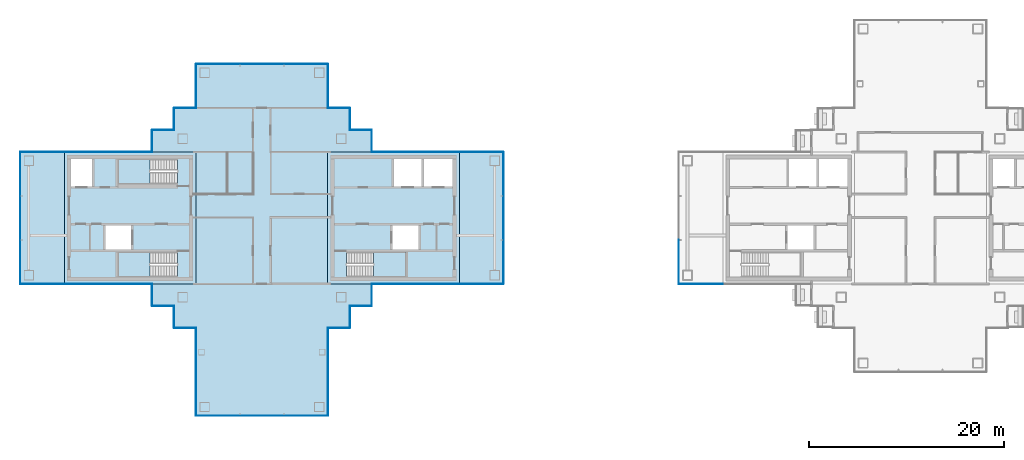
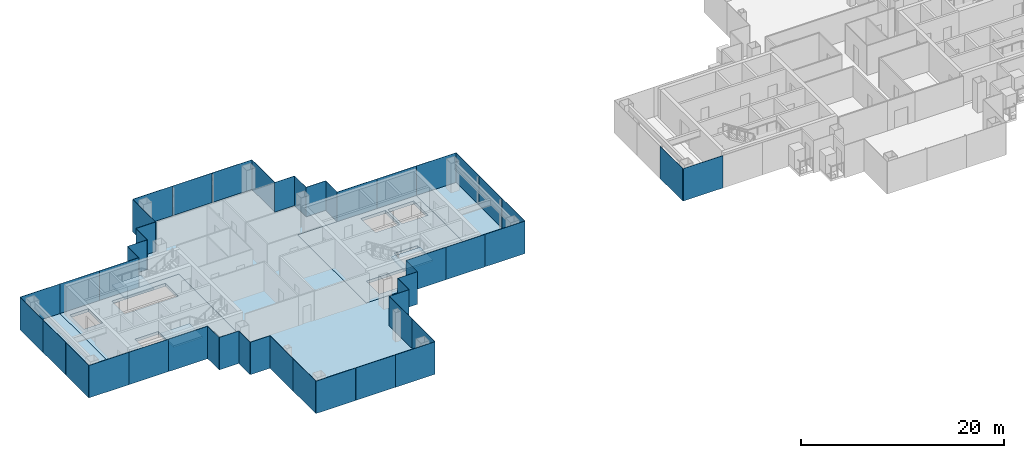
# One storey, part 7 of 16: 48 plates, 8 slabs, 25 elements without a shape of their own.
"""IFC4 building model written with IfcOpenShell, lengths in metres."""

from ifc_helpers import new_model, si_unit, direction, frame, origin, origin_2d, place, context, subcontext, project, spatial, polyline, rectangle, outline, extrude, material, layer, layer_set, type_object, element, aggregate, save


model = new_model("IFC4")

# Units and contexts
model_context = context("Model", 3, precision=1e-05, world=origin(), true_north=direction((0.0, 1.0)))
body_context = subcontext(model_context, "Body", "Model", "MODEL_VIEW")
ifc_project = project(units=[si_unit("LENGTHUNIT", "METRE"), si_unit("AREAUNIT", "SQUARE_METRE"), si_unit("VOLUMEUNIT", "CUBIC_METRE"), si_unit("PLANEANGLEUNIT", "RADIAN"), si_unit("MASSUNIT", "GRAM", prefix="KILO")], contexts=[model_context])

# Site, building, storey
site_placement = place(None, origin())
site = spatial("IfcSite", under=ifc_project, at=site_placement, CompositionType="ELEMENT")
building_placement = place(site_placement, origin())
building = spatial("IfcBuilding", under=site, at=building_placement, Name="Shamsa Quay Exchange Towers", CompositionType="ELEMENT")
storey_placement = place(building_placement, frame((0.0, 0.0, 210.0)))
storey = spatial("IfcBuildingStorey", under=building, at=storey_placement, Name="L50", CompositionType="ELEMENT", Elevation=210.0)

# Slabs
ifc_material_1 = material(Name="Concrete C50/60", Category="concrete")
ifc_layer_1 = layer(ifc_material_1, 0.35009765625)
ifc_layer_set_1 = layer_set([ifc_layer_1], Name="CORE FLOOR 350 C50/60")
slab_type_1 = type_object("IfcSlabType", Name="CORE FLOOR 350 C50/60", PredefinedType="FLOOR", material=ifc_layer_set_1)
slab_1_placement = place(storey_placement, frame((0.0, 0.0, -0.35009765625)))
element("IfcSlab", 1, at=slab_1_placement, inside=storey, type_object=slab_type_1, Name="Core floor T1A", PredefinedType="FLOOR", context=body_context, shape_type="SweptSolid", body=[
    extrude(outline(polyline([(-27.0, -6.75), (-13.5, -6.75), (-13.5, 6.75), (-27.0, 6.75), (-27.0, -6.75)]), holes=[polyline([(-25.099365234375, -6.050048828125), (-25.099365234375, -3.5), (-19.0, -3.5), (-19.0, -6.050048828125), (-25.099365234375, -6.050048828125)]), polyline([(-20.199951171875, 3.25), (-20.199951171875, 6.050048828125), (-17.39990234375, 6.050048828125), (-17.39990234375, 3.25), (-20.199951171875, 3.25)]), polyline([(-17.14990234375, 3.25), (-17.14990234375, 6.050048828125), (-14.199951171875, 6.050048828125), (-14.199951171875, 3.25), (-17.14990234375, 3.25)]), polyline([(-20.35009765625, -3.25), (-20.35009765625, -0.75), (-17.699951171875, -0.75), (-17.699951171875, -3.25), (-20.35009765625, -3.25)])]), origin(), (0.0, 0.0, 1.0), 0.35009765625),
])
slab_2_placement = place(storey_placement, frame((0.0, 0.0, -0.35009765625)))
element("IfcSlab", 2, at=slab_2_placement, inside=storey, type_object=slab_type_1, Name="Core floor T1B", PredefinedType="FLOOR", context=body_context, shape_type="SweptSolid", body=[
    extrude(outline(polyline([(-40.5, -6.75), (-40.5, 6.75), (-54.0, 6.75), (-54.0, -6.75), (-40.5, -6.75)]), holes=[polyline([(-42.400634765625, -3.5), (-42.400634765625, -6.050048828125), (-48.5, -6.050048828125), (-48.5, -3.5), (-42.400634765625, -3.5)]), polyline([(-42.400634765625, 6.050048828125), (-42.400634765625, 3.5), (-48.5, 3.5), (-48.5, 6.050048828125), (-42.400634765625, 6.050048828125)]), polyline([(-51.14990234375, 3.25), (-53.300048828125, 3.25), (-53.300048828125, 6.050048828125), (-51.14990234375, 6.050048828125), (-51.14990234375, 3.25)]), polyline([(-47.14990234375, -3.25), (-49.800048828125, -3.25), (-49.800048828125, -0.75), (-47.14990234375, -0.75), (-47.14990234375, -3.25)])]), origin(), (0.0, 0.0, 1.0), 0.35009765625),
])

# Stair, slab
ifc_material_2 = material(Name="Concrete C40/50", Category="concrete")
stair_type = type_object("IfcStairType", Name="EXIT STAIR 22 RISERS 177 MM", PredefinedType="HALF_TURN_STAIR", material=ifc_material_2)
stair_1_placement = place(storey_placement, origin())
stair_1 = element("IfcStair", 3, at=stair_1_placement, inside=storey, type_object=stair_type, Name="L50 Exit stair ST1", PredefinedType="HALF_TURN_STAIR")
ifc_layer_2 = layer(ifc_material_2, 0.199951171875)
ifc_layer_set_2 = layer_set([ifc_layer_2], Name="CORE STAIR LANDING")
slab_type_2 = type_object("IfcSlabType", Name="CORE STAIR LANDING", PredefinedType="LANDING", material=ifc_layer_set_2)
slab_3_placement = place(storey_placement, frame((0.0, 0.0, 1.75)))
slab_3 = element("IfcSlab", 4, at=slab_3_placement, type_object=slab_type_2, Name="ST1 landing 1", PredefinedType="LANDING", context=body_context, shape_type="SweptSolid", body=[
    extrude(outline(polyline([(-22.300048828125, -6.050048828125), (-19.0, -6.050048828125), (-19.0, -3.5), (-22.300048828125, -3.5), (-22.300048828125, -6.050048828125)])), origin(), (0.0, 0.0, 1.0), 0.199951171875),
])
aggregate(stair_1, [slab_3])

stair_2_placement = place(storey_placement, origin())
stair_2 = element("IfcStair", 5, at=stair_2_placement, inside=storey, type_object=stair_type, Name="L50 Exit stair ST2", PredefinedType="HALF_TURN_STAIR")
slab_4_placement = place(storey_placement, frame((0.0, 0.0, 1.75)))
slab_4 = element("IfcSlab", 6, at=slab_4_placement, type_object=slab_type_2, Name="ST2 landing 1", PredefinedType="LANDING", context=body_context, shape_type="SweptSolid", body=[
    extrude(outline(polyline([(-45.199951171875, -3.5), (-48.5, -3.5), (-48.5, -6.050048828125), (-45.199951171875, -6.050048828125), (-45.199951171875, -3.5)])), origin(), (0.0, 0.0, 1.0), 0.199951171875),
])
aggregate(stair_2, [slab_4])

stair_3_placement = place(storey_placement, origin())
stair_3 = element("IfcStair", 7, at=stair_3_placement, inside=storey, type_object=stair_type, Name="L50 Exit stair ST3", PredefinedType="HALF_TURN_STAIR")
slab_5_placement = place(storey_placement, frame((0.0, 0.0, 1.75)))
slab_5 = element("IfcSlab", 8, at=slab_5_placement, type_object=slab_type_2, Name="ST3 landing 1", PredefinedType="LANDING", context=body_context, shape_type="SweptSolid", body=[
    extrude(outline(polyline([(-45.199951171875, 6.050048828125), (-48.5, 6.050048828125), (-48.5, 3.5), (-45.199951171875, 3.5), (-45.199951171875, 6.050048828125)])), origin(), (0.0, 0.0, 1.0), 0.199951171875),
])
aggregate(stair_3, [slab_5])

# Curtain wall, plates
ifc_material_3 = material(Name="Aluminium EN AW-6063 T6, black anodised", Category="aluminium")
ifc_layer_3 = layer(ifc_material_3, 0.280029296875)
ifc_layer_set_3 = layer_set([ifc_layer_3], Name="CW-1 UNITISED VISION GLASS")
curtain_wall_type_1 = type_object("IfcCurtainWallType", Name="CW-1 UNITISED VISION GLASS", PredefinedType="NOTDEFINED", material=ifc_layer_set_3)
curtain_wall_1_placement = place(storey_placement, origin())
curtain_wall_1 = element("IfcCurtainWall", 9, at=curtain_wall_1_placement, inside=storey, type_object=curtain_wall_type_1, Name="CW1 T1-FLK-V-W L50", PredefinedType="NOTDEFINED")
ifc_material_4 = material(Name="Glass, laminated, dark tinted", Category="glass")
ifc_layer_4 = layer(ifc_material_4, 0.0400390625)
ifc_layer_set_4 = layer_set([ifc_layer_4], Name="CW-1 VISION GLASS 40")
plate_type_1 = type_object("IfcPlateType", Name="CW-1 VISION GLASS 40", PredefinedType="CURTAIN_PANEL", material=ifc_layer_set_4)
plate_1_placement = place(storey_placement, frame((-40.52001953125, -13.52587890625, -0.349853515625), z_axis=(0.0, 0.0, 1.0), x_axis=(0.0, -1.0, 0.0)))
plate_1 = element("IfcPlate", 10, at=plate_1_placement, type_object=plate_type_1, Name="CW1 glass panel", PredefinedType="CURTAIN_PANEL", context=body_context, shape_type="SweptSolid", body=[
    extrude(rectangle(XDim=4.47607421875, YDim=0.0400390625, at=origin_2d()), origin(), (0.0, 0.0, 1.0), 3.89990234375),
])
plate_2_placement = place(storey_placement, frame((-40.52001953125, -18.011962890625, -0.349853515625), z_axis=(0.0, 0.0, 1.0), x_axis=(0.0, -1.0, 0.0)))
plate_2 = element("IfcPlate", 11, at=plate_2_placement, type_object=plate_type_1, Name="CW1 glass panel", PredefinedType="CURTAIN_PANEL", context=body_context, shape_type="SweptSolid", body=[
    extrude(rectangle(XDim=4.47607421875, YDim=0.0400390625, at=origin_2d()), origin(), (0.0, 0.0, 1.0), 3.89990234375),
])
aggregate(curtain_wall_1, [plate_1, plate_2])

curtain_wall_2_placement = place(storey_placement, origin())
curtain_wall_2 = element("IfcCurtainWall", 12, at=curtain_wall_2_placement, inside=storey, type_object=curtain_wall_type_1, Name="CW1 T1-END-V- L50", PredefinedType="NOTDEFINED")
plate_3_placement = place(storey_placement, frame((-38.25244140625, -20.27001953125, -0.349853515625)))
plate_3 = element("IfcPlate", 13, at=plate_3_placement, type_object=plate_type_1, Name="CW1 glass panel", PredefinedType="CURTAIN_PANEL", context=body_context, shape_type="SweptSolid", body=[
    extrude(rectangle(XDim=4.4951171875, YDim=0.0400390625, at=origin_2d()), origin(), (0.0, 0.0, 1.0), 3.89990234375),
])
plate_4_placement = place(storey_placement, frame((-33.75, -20.27001953125, -0.349853515625)))
plate_4 = element("IfcPlate", 14, at=plate_4_placement, type_object=plate_type_1, Name="CW1 glass panel", PredefinedType="CURTAIN_PANEL", context=body_context, shape_type="SweptSolid", body=[
    extrude(rectangle(XDim=4.489990234375, YDim=0.0400390625, at=origin_2d()), origin(), (0.0, 0.0, 1.0), 3.89990234375),
])
plate_5_placement = place(storey_placement, frame((-29.24755859375, -20.27001953125, -0.349853515625)))
plate_5 = element("IfcPlate", 15, at=plate_5_placement, type_object=plate_type_1, Name="CW1 glass panel", PredefinedType="CURTAIN_PANEL", context=body_context, shape_type="SweptSolid", body=[
    extrude(rectangle(XDim=4.4951171875, YDim=0.0400390625, at=origin_2d()), origin(), (0.0, 0.0, 1.0), 3.89990234375),
])
aggregate(curtain_wall_2, [plate_3, plate_4, plate_5])

curtain_wall_3_placement = place(storey_placement, origin())
curtain_wall_3 = element("IfcCurtainWall", 16, at=curtain_wall_3_placement, inside=storey, type_object=curtain_wall_type_1, Name="CW1 T1-FLK-V-E L50", PredefinedType="NOTDEFINED")
plate_6_placement = place(storey_placement, frame((-26.97998046875, -18.00244140625, -0.349853515625), z_axis=(0.0, 0.0, 1.0), x_axis=(0.0, 1.0, 0.0)))
plate_6 = element("IfcPlate", 17, at=plate_6_placement, type_object=plate_type_1, Name="CW1 glass panel", PredefinedType="CURTAIN_PANEL", context=body_context, shape_type="SweptSolid", body=[
    extrude(rectangle(XDim=4.4951171875, YDim=0.0400390625, at=origin_2d()), origin(), (0.0, 0.0, 1.0), 3.89990234375),
])
plate_7_placement = place(storey_placement, frame((-26.97998046875, -13.49755859375, -0.349853515625), z_axis=(0.0, 0.0, 1.0), x_axis=(0.0, 1.0, 0.0)))
plate_7 = element("IfcPlate", 18, at=plate_7_placement, type_object=plate_type_1, Name="CW1 glass panel", PredefinedType="CURTAIN_PANEL", context=body_context, shape_type="SweptSolid", body=[
    extrude(rectangle(XDim=4.4951171875, YDim=0.0400390625, at=origin_2d()), origin(), (0.0, 0.0, 1.0), 3.89990234375),
])
aggregate(curtain_wall_3, [plate_6, plate_7])

# Curtain wall, plate
curtain_wall_4_placement = place(storey_placement, origin())
curtain_wall_4 = element("IfcCurtainWall", 19, at=curtain_wall_4_placement, inside=storey, type_object=curtain_wall_type_1, Name="CW1 T1-FLK-U+S L50", PredefinedType="NOTDEFINED")
plate_8_placement = place(storey_placement, frame((-11.25, -6.77001953125, -0.349853515625)))
plate_8 = element("IfcPlate", 20, at=plate_8_placement, type_object=plate_type_1, Name="CW1 glass panel", PredefinedType="CURTAIN_PANEL", context=body_context, shape_type="SweptSolid", body=[
    extrude(rectangle(XDim=4.5, YDim=0.0400390625, at=origin_2d()), origin(), (0.0, 0.0, 1.0), 3.89990234375),
])
aggregate(curtain_wall_4, [plate_8])

# Curtain wall, plates
curtain_wall_5_placement = place(storey_placement, origin())
curtain_wall_5 = element("IfcCurtainWall", 21, at=curtain_wall_5_placement, inside=storey, type_object=curtain_wall_type_1, Name="CW1 T1-END-U+ L50", PredefinedType="NOTDEFINED")
plate_9_placement = place(storey_placement, frame((-8.97998046875, -4.50244140625, -0.349853515625), z_axis=(0.0, 0.0, 1.0), x_axis=(0.0, 1.0, 0.0)))
plate_9 = element("IfcPlate", 22, at=plate_9_placement, type_object=plate_type_1, Name="CW1 glass panel", PredefinedType="CURTAIN_PANEL", context=body_context, shape_type="SweptSolid", body=[
    extrude(rectangle(XDim=4.4951171875, YDim=0.0400390625, at=origin_2d()), origin(), (0.0, 0.0, 1.0), 3.89990234375),
])
plate_10_placement = place(storey_placement, frame((-8.97998046875, 0.0, -0.349853515625), z_axis=(0.0, 0.0, 1.0), x_axis=(0.0, 1.0, 0.0)))
plate_10 = element("IfcPlate", 23, at=plate_10_placement, type_object=plate_type_1, Name="CW1 glass panel", PredefinedType="CURTAIN_PANEL", context=body_context, shape_type="SweptSolid", body=[
    extrude(rectangle(XDim=4.489990234375, YDim=0.0400390625, at=origin_2d()), origin(), (0.0, 0.0, 1.0), 3.89990234375),
])
plate_11_placement = place(storey_placement, frame((-8.97998046875, 4.50244140625, -0.349853515625), z_axis=(0.0, 0.0, 1.0), x_axis=(0.0, 1.0, 0.0)))
plate_11 = element("IfcPlate", 24, at=plate_11_placement, type_object=plate_type_1, Name="CW1 glass panel", PredefinedType="CURTAIN_PANEL", context=body_context, shape_type="SweptSolid", body=[
    extrude(rectangle(XDim=4.4951171875, YDim=0.0400390625, at=origin_2d()), origin(), (0.0, 0.0, 1.0), 3.89990234375),
])
aggregate(curtain_wall_5, [plate_9, plate_10, plate_11])

# Curtain wall, plate
curtain_wall_6_placement = place(storey_placement, origin())
curtain_wall_6 = element("IfcCurtainWall", 25, at=curtain_wall_6_placement, inside=storey, type_object=curtain_wall_type_1, Name="CW1 T1-FLK-U+N L50", PredefinedType="NOTDEFINED")
plate_12_placement = place(storey_placement, frame((-11.25, 6.77001953125, -0.349853515625), z_axis=(0.0, 0.0, 1.0), x_axis=(-1.0, 0.0, 0.0)))
plate_12 = element("IfcPlate", 26, at=plate_12_placement, type_object=plate_type_1, Name="CW1 glass panel", PredefinedType="CURTAIN_PANEL", context=body_context, shape_type="SweptSolid", body=[
    extrude(rectangle(XDim=4.5, YDim=0.0400390625, at=origin_2d()), origin(), (0.0, 0.0, 1.0), 3.89990234375),
])
aggregate(curtain_wall_6, [plate_12])

curtain_wall_7_placement = place(storey_placement, origin())
curtain_wall_7 = element("IfcCurtainWall", 27, at=curtain_wall_7_placement, inside=storey, type_object=curtain_wall_type_1, Name="CW1 T1-FLK-V+E L50", PredefinedType="NOTDEFINED")
plate_13_placement = place(storey_placement, frame((-26.97998046875, 13.51904296875, -0.349853515625), z_axis=(0.0, 0.0, 1.0), x_axis=(0.0, 1.0, 0.0)))
plate_13 = element("IfcPlate", 28, at=plate_13_placement, type_object=plate_type_1, Name="CW1 glass panel", PredefinedType="CURTAIN_PANEL", context=body_context, shape_type="SweptSolid", body=[
    extrude(rectangle(XDim=4.4619140625, YDim=0.0400390625, at=origin_2d()), origin(), (0.0, 0.0, 1.0), 3.89990234375),
])
aggregate(curtain_wall_7, [plate_13])

# Curtain wall, plates
curtain_wall_8_placement = place(storey_placement, origin())
curtain_wall_8 = element("IfcCurtainWall", 29, at=curtain_wall_8_placement, inside=storey, type_object=curtain_wall_type_1, Name="CW1 T1-END-V+ L50", PredefinedType="NOTDEFINED")
plate_14_placement = place(storey_placement, frame((-29.24755859375, 15.77001953125, -0.349853515625), z_axis=(0.0, 0.0, 1.0), x_axis=(-1.0, 0.0, 0.0)))
plate_14 = element("IfcPlate", 30, at=plate_14_placement, type_object=plate_type_1, Name="CW1 glass panel", PredefinedType="CURTAIN_PANEL", context=body_context, shape_type="SweptSolid", body=[
    extrude(rectangle(XDim=4.4951171875, YDim=0.0400390625, at=origin_2d()), origin(), (0.0, 0.0, 1.0), 3.89990234375),
])
plate_15_placement = place(storey_placement, frame((-33.75, 15.77001953125, -0.349853515625), z_axis=(0.0, 0.0, 1.0), x_axis=(-1.0, 0.0, 0.0)))
plate_15 = element("IfcPlate", 31, at=plate_15_placement, type_object=plate_type_1, Name="CW1 glass panel", PredefinedType="CURTAIN_PANEL", context=body_context, shape_type="SweptSolid", body=[
    extrude(rectangle(XDim=4.489990234375, YDim=0.0400390625, at=origin_2d()), origin(), (0.0, 0.0, 1.0), 3.89990234375),
])
plate_16_placement = place(storey_placement, frame((-38.25244140625, 15.77001953125, -0.349853515625), z_axis=(0.0, 0.0, 1.0), x_axis=(-1.0, 0.0, 0.0)))
plate_16 = element("IfcPlate", 32, at=plate_16_placement, type_object=plate_type_1, Name="CW1 glass panel", PredefinedType="CURTAIN_PANEL", context=body_context, shape_type="SweptSolid", body=[
    extrude(rectangle(XDim=4.4951171875, YDim=0.0400390625, at=origin_2d()), origin(), (0.0, 0.0, 1.0), 3.89990234375),
])
aggregate(curtain_wall_8, [plate_14, plate_15, plate_16])

# Curtain wall, plate
curtain_wall_9_placement = place(storey_placement, origin())
curtain_wall_9 = element("IfcCurtainWall", 33, at=curtain_wall_9_placement, inside=storey, type_object=curtain_wall_type_1, Name="CW1 T1-FLK-V+W L50", PredefinedType="NOTDEFINED")
plate_17_placement = place(storey_placement, frame((-40.52001953125, 13.5, -0.349853515625), z_axis=(0.0, 0.0, 1.0), x_axis=(0.0, -1.0, 0.0)))
plate_17 = element("IfcPlate", 34, at=plate_17_placement, type_object=plate_type_1, Name="CW1 glass panel", PredefinedType="CURTAIN_PANEL", context=body_context, shape_type="SweptSolid", body=[
    extrude(rectangle(XDim=4.5, YDim=0.0400390625, at=origin_2d()), origin(), (0.0, 0.0, 1.0), 3.89990234375),
])
aggregate(curtain_wall_9, [plate_17])

curtain_wall_10_placement = place(storey_placement, origin())
curtain_wall_10 = element("IfcCurtainWall", 35, at=curtain_wall_10_placement, inside=storey, type_object=curtain_wall_type_1, Name="CW1 T1-FLK-U-N L50", PredefinedType="NOTDEFINED")
plate_18_placement = place(storey_placement, frame((-56.25, 6.77001953125, -0.349853515625), z_axis=(0.0, 0.0, 1.0), x_axis=(-1.0, 0.0, 0.0)))
plate_18 = element("IfcPlate", 36, at=plate_18_placement, type_object=plate_type_1, Name="CW1 glass panel", PredefinedType="CURTAIN_PANEL", context=body_context, shape_type="SweptSolid", body=[
    extrude(rectangle(XDim=4.5, YDim=0.0400390625, at=origin_2d()), origin(), (0.0, 0.0, 1.0), 3.89990234375),
])
aggregate(curtain_wall_10, [plate_18])

# Curtain wall, plates
curtain_wall_11_placement = place(storey_placement, origin())
curtain_wall_11 = element("IfcCurtainWall", 37, at=curtain_wall_11_placement, inside=storey, type_object=curtain_wall_type_1, Name="CW1 T1-END-U- L50", PredefinedType="NOTDEFINED")
plate_19_placement = place(storey_placement, frame((-58.52001953125, 4.50244140625, -0.349853515625), z_axis=(0.0, 0.0, 1.0), x_axis=(0.0, -1.0, 0.0)))
plate_19 = element("IfcPlate", 38, at=plate_19_placement, type_object=plate_type_1, Name="CW1 glass panel", PredefinedType="CURTAIN_PANEL", context=body_context, shape_type="SweptSolid", body=[
    extrude(rectangle(XDim=4.4951171875, YDim=0.0400390625, at=origin_2d()), origin(), (0.0, 0.0, 1.0), 3.89990234375),
])
plate_20_placement = place(storey_placement, frame((-58.52001953125, 0.0, -0.349853515625), z_axis=(0.0, 0.0, 1.0), x_axis=(0.0, -1.0, 0.0)))
plate_20 = element("IfcPlate", 39, at=plate_20_placement, type_object=plate_type_1, Name="CW1 glass panel", PredefinedType="CURTAIN_PANEL", context=body_context, shape_type="SweptSolid", body=[
    extrude(rectangle(XDim=4.489990234375, YDim=0.0400390625, at=origin_2d()), origin(), (0.0, 0.0, 1.0), 3.89990234375),
])
plate_21_placement = place(storey_placement, frame((-58.52001953125, -4.50244140625, -0.349853515625), z_axis=(0.0, 0.0, 1.0), x_axis=(0.0, -1.0, 0.0)))
plate_21 = element("IfcPlate", 40, at=plate_21_placement, type_object=plate_type_1, Name="CW1 glass panel", PredefinedType="CURTAIN_PANEL", context=body_context, shape_type="SweptSolid", body=[
    extrude(rectangle(XDim=4.4951171875, YDim=0.0400390625, at=origin_2d()), origin(), (0.0, 0.0, 1.0), 3.89990234375),
])
aggregate(curtain_wall_11, [plate_19, plate_20, plate_21])

# Curtain wall, plate
curtain_wall_12_placement = place(storey_placement, origin())
curtain_wall_12 = element("IfcCurtainWall", 41, at=curtain_wall_12_placement, inside=storey, type_object=curtain_wall_type_1, Name="CW1 T1-FLK-U-S L50", PredefinedType="NOTDEFINED")
plate_22_placement = place(storey_placement, frame((-56.25, -6.77001953125, -0.349853515625)))
plate_22 = element("IfcPlate", 42, at=plate_22_placement, type_object=plate_type_1, Name="CW1 glass panel", PredefinedType="CURTAIN_PANEL", context=body_context, shape_type="SweptSolid", body=[
    extrude(rectangle(XDim=4.5, YDim=0.0400390625, at=origin_2d()), origin(), (0.0, 0.0, 1.0), 3.89990234375),
])
aggregate(curtain_wall_12, [plate_22])

curtain_wall_13_placement = place(storey_placement, origin())
curtain_wall_13 = element("IfcCurtainWall", 43, at=curtain_wall_13_placement, inside=storey, type_object=curtain_wall_type_1, Name="CW1 T2-END-V+ L50", PredefinedType="NOTDEFINED")
plate_23_placement = place(storey_placement, frame((8.97998046875, -4.50244140625, -0.349853515625), z_axis=(0.0, 0.0, 1.0), x_axis=(0.0, -1.0, 0.0)))
plate_23 = element("IfcPlate", 44, at=plate_23_placement, type_object=plate_type_1, Name="CW1 glass panel", PredefinedType="CURTAIN_PANEL", context=body_context, shape_type="SweptSolid", body=[
    extrude(rectangle(XDim=4.4951171875, YDim=0.0400390625, at=origin_2d()), origin(), (0.0, 0.0, 1.0), 3.89990234375),
])
aggregate(curtain_wall_13, [plate_23])

curtain_wall_14_placement = place(storey_placement, origin())
curtain_wall_14 = element("IfcCurtainWall", 45, at=curtain_wall_14_placement, inside=storey, type_object=curtain_wall_type_1, Name="CW1 T2-FLK-V+W L50", PredefinedType="NOTDEFINED")
plate_24_placement = place(storey_placement, frame((11.25, -6.77001953125, -0.349853515625)))
plate_24 = element("IfcPlate", 46, at=plate_24_placement, type_object=plate_type_1, Name="CW1 glass panel", PredefinedType="CURTAIN_PANEL", context=body_context, shape_type="SweptSolid", body=[
    extrude(rectangle(XDim=4.5, YDim=0.0400390625, at=origin_2d()), origin(), (0.0, 0.0, 1.0), 3.89990234375),
])
aggregate(curtain_wall_14, [plate_24])

# Curtain wall, plates
ifc_layer_5 = layer(ifc_material_3, 0.303955078125)
ifc_layer_set_5 = layer_set([ifc_layer_5], Name="CW-2 UNITISED OPAQUE SPANDREL GLASS")
curtain_wall_type_2 = type_object("IfcCurtainWallType", Name="CW-2 UNITISED OPAQUE SPANDREL GLASS", PredefinedType="NOTDEFINED", material=ifc_layer_set_5)
curtain_wall_15_placement = place(storey_placement, origin())
curtain_wall_15 = element("IfcCurtainWall", 47, at=curtain_wall_15_placement, inside=storey, type_object=curtain_wall_type_2, Name="CW2 T1-FLK-U+S L50", PredefinedType="NOTDEFINED")
ifc_material_5 = material(Name="Glass, laminated, black enamelled opaque", Category="glass")
ifc_layer_6 = layer(ifc_material_5, 0.0439453125)
ifc_layer_set_6 = layer_set([ifc_layer_6], Name="CW-2 SPANDREL GLASS 44")
plate_type_2 = type_object("IfcPlateType", Name="CW-2 SPANDREL GLASS 44", PredefinedType="CURTAIN_PANEL", material=ifc_layer_set_6)
plate_25_placement = place(storey_placement, frame((-20.22412109375, -6.77197265625, -0.349853515625)))
plate_25 = element("IfcPlate", 48, at=plate_25_placement, type_object=plate_type_2, Name="CW2 glass panel", PredefinedType="CURTAIN_PANEL", context=body_context, shape_type="SweptSolid", body=[
    extrude(rectangle(XDim=4.47607421875, YDim=0.0439453125, at=origin_2d()), origin(), (0.0, 0.0, 1.0), 3.89990234375),
])
plate_26_placement = place(storey_placement, frame((-15.738037109375, -6.77197265625, -0.349853515625)))
plate_26 = element("IfcPlate", 49, at=plate_26_placement, type_object=plate_type_2, Name="CW2 glass panel", PredefinedType="CURTAIN_PANEL", context=body_context, shape_type="SweptSolid", body=[
    extrude(rectangle(XDim=4.47607421875, YDim=0.0439453125, at=origin_2d()), origin(), (0.0, 0.0, 1.0), 3.89990234375),
])
aggregate(curtain_wall_15, [plate_25, plate_26])

curtain_wall_16_placement = place(storey_placement, origin())
curtain_wall_16 = element("IfcCurtainWall", 50, at=curtain_wall_16_placement, inside=storey, type_object=curtain_wall_type_2, Name="CW2 T1-FLK-U+N L50", PredefinedType="NOTDEFINED")
plate_27_placement = place(storey_placement, frame((-15.74755859375, 6.77197265625, -0.349853515625), z_axis=(0.0, 0.0, 1.0), x_axis=(-1.0, 0.0, 0.0)))
plate_27 = element("IfcPlate", 51, at=plate_27_placement, type_object=plate_type_2, Name="CW2 glass panel", PredefinedType="CURTAIN_PANEL", context=body_context, shape_type="SweptSolid", body=[
    extrude(rectangle(XDim=4.4951171875, YDim=0.0439453125, at=origin_2d()), origin(), (0.0, 0.0, 1.0), 3.89990234375),
])
plate_28_placement = place(storey_placement, frame((-20.25244140625, 6.77197265625, -0.349853515625), z_axis=(0.0, 0.0, 1.0), x_axis=(-1.0, 0.0, 0.0)))
plate_28 = element("IfcPlate", 52, at=plate_28_placement, type_object=plate_type_2, Name="CW2 glass panel", PredefinedType="CURTAIN_PANEL", context=body_context, shape_type="SweptSolid", body=[
    extrude(rectangle(XDim=4.4951171875, YDim=0.0439453125, at=origin_2d()), origin(), (0.0, 0.0, 1.0), 3.89990234375),
])
aggregate(curtain_wall_16, [plate_27, plate_28])

curtain_wall_17_placement = place(storey_placement, origin())
curtain_wall_17 = element("IfcCurtainWall", 53, at=curtain_wall_17_placement, inside=storey, type_object=curtain_wall_type_2, Name="CW2 T1-FLK-U-N L50", PredefinedType="NOTDEFINED")
plate_29_placement = place(storey_placement, frame((-47.27587890625, 6.77197265625, -0.349853515625), z_axis=(0.0, 0.0, 1.0), x_axis=(-1.0, 0.0, 0.0)))
plate_29 = element("IfcPlate", 54, at=plate_29_placement, type_object=plate_type_2, Name="CW2 glass panel", PredefinedType="CURTAIN_PANEL", context=body_context, shape_type="SweptSolid", body=[
    extrude(rectangle(XDim=4.47607421875, YDim=0.0439453125, at=origin_2d()), origin(), (0.0, 0.0, 1.0), 3.89990234375),
])
plate_30_placement = place(storey_placement, frame((-51.761962890625, 6.77197265625, -0.349853515625), z_axis=(0.0, 0.0, 1.0), x_axis=(-1.0, 0.0, 0.0)))
plate_30 = element("IfcPlate", 55, at=plate_30_placement, type_object=plate_type_2, Name="CW2 glass panel", PredefinedType="CURTAIN_PANEL", context=body_context, shape_type="SweptSolid", body=[
    extrude(rectangle(XDim=4.47607421875, YDim=0.0439453125, at=origin_2d()), origin(), (0.0, 0.0, 1.0), 3.89990234375),
])
aggregate(curtain_wall_17, [plate_29, plate_30])

curtain_wall_18_placement = place(storey_placement, origin())
curtain_wall_18 = element("IfcCurtainWall", 56, at=curtain_wall_18_placement, inside=storey, type_object=curtain_wall_type_2, Name="CW2 T1-FLK-U-S L50", PredefinedType="NOTDEFINED")
plate_31_placement = place(storey_placement, frame((-51.75244140625, -6.77197265625, -0.349853515625)))
plate_31 = element("IfcPlate", 57, at=plate_31_placement, type_object=plate_type_2, Name="CW2 glass panel", PredefinedType="CURTAIN_PANEL", context=body_context, shape_type="SweptSolid", body=[
    extrude(rectangle(XDim=4.4951171875, YDim=0.0439453125, at=origin_2d()), origin(), (0.0, 0.0, 1.0), 3.89990234375),
])
plate_32_placement = place(storey_placement, frame((-47.24755859375, -6.77197265625, -0.349853515625)))
plate_32 = element("IfcPlate", 58, at=plate_32_placement, type_object=plate_type_2, Name="CW2 glass panel", PredefinedType="CURTAIN_PANEL", context=body_context, shape_type="SweptSolid", body=[
    extrude(rectangle(XDim=4.4951171875, YDim=0.0439453125, at=origin_2d()), origin(), (0.0, 0.0, 1.0), 3.89990234375),
])
aggregate(curtain_wall_18, [plate_31, plate_32])

ifc_layer_7 = layer(ifc_material_3, 0.256103515625)
ifc_layer_set_7 = layer_set([ifc_layer_7], Name="CW-4 POCKET SERRATED GLAZING")
curtain_wall_type_3 = type_object("IfcCurtainWallType", Name="CW-4 POCKET SERRATED GLAZING", PredefinedType="NOTDEFINED", material=ifc_layer_set_7)
curtain_wall_19_placement = place(storey_placement, origin())
curtain_wall_19 = element("IfcCurtainWall", 59, at=curtain_wall_19_placement, inside=storey, type_object=curtain_wall_type_3, Name="CW4 PKWS L50", PredefinedType="NOTDEFINED")
ifc_layer_8 = layer(ifc_material_4, 0.035888671875)
ifc_layer_set_8 = layer_set([ifc_layer_8], Name="CW-4 POCKET GLASS 36")
plate_type_3 = type_object("IfcPlateType", Name="CW-4 POCKET GLASS 36", PredefinedType="CURTAIN_PANEL", material=ifc_layer_set_8)
plate_33_placement = place(storey_placement, frame((-42.76806640625, -10.14404296875, -0.349853515625), z_axis=(0.0, 0.0, 1.0), x_axis=(0.0, -1.0, 0.0)))
plate_33 = element("IfcPlate", 60, at=plate_33_placement, type_object=plate_type_3, Name="CW4 glass panel", PredefinedType="CURTAIN_PANEL", context=body_context, shape_type="SweptSolid", body=[
    extrude(rectangle(XDim=2.2119140625, YDim=0.035888671875, at=origin_2d()), origin(), (0.0, 0.0, 1.0), 3.89990234375),
])
plate_34_placement = place(storey_placement, frame((-41.625, -11.26806640625, -0.349853515625)))
plate_34 = element("IfcPlate", 61, at=plate_34_placement, type_object=plate_type_3, Name="CW4 glass panel", PredefinedType="CURTAIN_PANEL", context=body_context, shape_type="SweptSolid", body=[
    extrude(rectangle(XDim=2.25, YDim=0.035888671875, at=origin_2d()), origin(), (0.0, 0.0, 1.0), 3.89990234375),
])
plate_35_placement = place(storey_placement, frame((-45.01806640625, -7.89794921875, -0.349853515625), z_axis=(0.0, 0.0, 1.0), x_axis=(0.0, -1.0, 0.0)))
plate_35 = element("IfcPlate", 62, at=plate_35_placement, type_object=plate_type_3, Name="CW4 glass panel", PredefinedType="CURTAIN_PANEL", context=body_context, shape_type="SweptSolid", body=[
    extrude(rectangle(XDim=2.2041015625, YDim=0.035888671875, at=origin_2d()), origin(), (0.0, 0.0, 1.0), 3.89990234375),
])
plate_36_placement = place(storey_placement, frame((-43.875, -9.01806640625, -0.349853515625)))
plate_36 = element("IfcPlate", 63, at=plate_36_placement, type_object=plate_type_3, Name="CW4 glass panel", PredefinedType="CURTAIN_PANEL", context=body_context, shape_type="SweptSolid", body=[
    extrude(rectangle(XDim=2.25, YDim=0.035888671875, at=origin_2d()), origin(), (0.0, 0.0, 1.0), 3.89990234375),
])
aggregate(curtain_wall_19, [plate_33, plate_34, plate_35, plate_36])

curtain_wall_20_placement = place(storey_placement, origin())
curtain_wall_20 = element("IfcCurtainWall", 64, at=curtain_wall_20_placement, inside=storey, type_object=curtain_wall_type_3, Name="CW4 PKES L50", PredefinedType="NOTDEFINED")
plate_37_placement = place(storey_placement, frame((-25.85400390625, -11.26806640625, -0.349853515625)))
plate_37 = element("IfcPlate", 65, at=plate_37_placement, type_object=plate_type_3, Name="CW4 glass panel", PredefinedType="CURTAIN_PANEL", context=body_context, shape_type="SweptSolid", body=[
    extrude(rectangle(XDim=2.2080078125, YDim=0.035888671875, at=origin_2d()), origin(), (0.0, 0.0, 1.0), 3.89990234375),
])
plate_38_placement = place(storey_placement, frame((-24.73193359375, -10.125, -0.349853515625), z_axis=(0.0, 0.0, 1.0), x_axis=(0.0, 1.0, 0.0)))
plate_38 = element("IfcPlate", 66, at=plate_38_placement, type_object=plate_type_3, Name="CW4 glass panel", PredefinedType="CURTAIN_PANEL", context=body_context, shape_type="SweptSolid", body=[
    extrude(rectangle(XDim=2.25, YDim=0.035888671875, at=origin_2d()), origin(), (0.0, 0.0, 1.0), 3.89990234375),
])
plate_39_placement = place(storey_placement, frame((-23.60595703125, -9.01806640625, -0.349853515625)))
plate_39 = element("IfcPlate", 67, at=plate_39_placement, type_object=plate_type_3, Name="CW4 glass panel", PredefinedType="CURTAIN_PANEL", context=body_context, shape_type="SweptSolid", body=[
    extrude(rectangle(XDim=2.2119140625, YDim=0.035888671875, at=origin_2d()), origin(), (0.0, 0.0, 1.0), 3.89990234375),
])
plate_40_placement = place(storey_placement, frame((-22.48193359375, -7.875, -0.349853515625), z_axis=(0.0, 0.0, 1.0), x_axis=(0.0, 1.0, 0.0)))
plate_40 = element("IfcPlate", 68, at=plate_40_placement, type_object=plate_type_3, Name="CW4 glass panel", PredefinedType="CURTAIN_PANEL", context=body_context, shape_type="SweptSolid", body=[
    extrude(rectangle(XDim=2.25, YDim=0.035888671875, at=origin_2d()), origin(), (0.0, 0.0, 1.0), 3.89990234375),
])
aggregate(curtain_wall_20, [plate_37, plate_38, plate_39, plate_40])

curtain_wall_21_placement = place(storey_placement, origin())
curtain_wall_21 = element("IfcCurtainWall", 69, at=curtain_wall_21_placement, inside=storey, type_object=curtain_wall_type_3, Name="CW4 PKEN L50", PredefinedType="NOTDEFINED")
plate_41_placement = place(storey_placement, frame((-22.48193359375, 7.89794921875, -0.349853515625), z_axis=(0.0, 0.0, 1.0), x_axis=(0.0, 1.0, 0.0)))
plate_41 = element("IfcPlate", 70, at=plate_41_placement, type_object=plate_type_3, Name="CW4 glass panel", PredefinedType="CURTAIN_PANEL", context=body_context, shape_type="SweptSolid", body=[
    extrude(rectangle(XDim=2.2041015625, YDim=0.035888671875, at=origin_2d()), origin(), (0.0, 0.0, 1.0), 3.89990234375),
])
plate_42_placement = place(storey_placement, frame((-23.625, 9.01806640625, -0.349853515625), z_axis=(0.0, 0.0, 1.0), x_axis=(-1.0, 0.0, 0.0)))
plate_42 = element("IfcPlate", 71, at=plate_42_placement, type_object=plate_type_3, Name="CW4 glass panel", PredefinedType="CURTAIN_PANEL", context=body_context, shape_type="SweptSolid", body=[
    extrude(rectangle(XDim=2.25, YDim=0.035888671875, at=origin_2d()), origin(), (0.0, 0.0, 1.0), 3.89990234375),
])
plate_43_placement = place(storey_placement, frame((-24.73193359375, 10.14404296875, -0.349853515625), z_axis=(0.0, 0.0, 1.0), x_axis=(0.0, 1.0, 0.0)))
plate_43 = element("IfcPlate", 72, at=plate_43_placement, type_object=plate_type_3, Name="CW4 glass panel", PredefinedType="CURTAIN_PANEL", context=body_context, shape_type="SweptSolid", body=[
    extrude(rectangle(XDim=2.2119140625, YDim=0.035888671875, at=origin_2d()), origin(), (0.0, 0.0, 1.0), 3.89990234375),
])
plate_44_placement = place(storey_placement, frame((-25.875, 11.26806640625, -0.349853515625), z_axis=(0.0, 0.0, 1.0), x_axis=(-1.0, 0.0, 0.0)))
plate_44 = element("IfcPlate", 73, at=plate_44_placement, type_object=plate_type_3, Name="CW4 glass panel", PredefinedType="CURTAIN_PANEL", context=body_context, shape_type="SweptSolid", body=[
    extrude(rectangle(XDim=2.25, YDim=0.035888671875, at=origin_2d()), origin(), (0.0, 0.0, 1.0), 3.89990234375),
])
aggregate(curtain_wall_21, [plate_41, plate_42, plate_43, plate_44])

curtain_wall_22_placement = place(storey_placement, origin())
curtain_wall_22 = element("IfcCurtainWall", 74, at=curtain_wall_22_placement, inside=storey, type_object=curtain_wall_type_3, Name="CW4 PKWN L50", PredefinedType="NOTDEFINED")
plate_45_placement = place(storey_placement, frame((-41.64599609375, 11.26806640625, -0.349853515625), z_axis=(0.0, 0.0, 1.0), x_axis=(-1.0, 0.0, 0.0)))
plate_45 = element("IfcPlate", 75, at=plate_45_placement, type_object=plate_type_3, Name="CW4 glass panel", PredefinedType="CURTAIN_PANEL", context=body_context, shape_type="SweptSolid", body=[
    extrude(rectangle(XDim=2.2080078125, YDim=0.035888671875, at=origin_2d()), origin(), (0.0, 0.0, 1.0), 3.89990234375),
])
plate_46_placement = place(storey_placement, frame((-42.76806640625, 10.125, -0.349853515625), z_axis=(0.0, 0.0, 1.0), x_axis=(0.0, -1.0, 0.0)))
plate_46 = element("IfcPlate", 76, at=plate_46_placement, type_object=plate_type_3, Name="CW4 glass panel", PredefinedType="CURTAIN_PANEL", context=body_context, shape_type="SweptSolid", body=[
    extrude(rectangle(XDim=2.25, YDim=0.035888671875, at=origin_2d()), origin(), (0.0, 0.0, 1.0), 3.89990234375),
])
plate_47_placement = place(storey_placement, frame((-43.89404296875, 9.01806640625, -0.349853515625), z_axis=(0.0, 0.0, 1.0), x_axis=(-1.0, 0.0, 0.0)))
plate_47 = element("IfcPlate", 77, at=plate_47_placement, type_object=plate_type_3, Name="CW4 glass panel", PredefinedType="CURTAIN_PANEL", context=body_context, shape_type="SweptSolid", body=[
    extrude(rectangle(XDim=2.2119140625, YDim=0.035888671875, at=origin_2d()), origin(), (0.0, 0.0, 1.0), 3.89990234375),
])
plate_48_placement = place(storey_placement, frame((-45.01806640625, 7.875, -0.349853515625), z_axis=(0.0, 0.0, 1.0), x_axis=(0.0, -1.0, 0.0)))
plate_48 = element("IfcPlate", 78, at=plate_48_placement, type_object=plate_type_3, Name="CW4 glass panel", PredefinedType="CURTAIN_PANEL", context=body_context, shape_type="SweptSolid", body=[
    extrude(rectangle(XDim=2.25, YDim=0.035888671875, at=origin_2d()), origin(), (0.0, 0.0, 1.0), 3.89990234375),
])
aggregate(curtain_wall_22, [plate_45, plate_46, plate_47, plate_48])

# Slabs
ifc_layer_9 = layer(ifc_material_2, 0.35009765625)
ifc_layer_set_9 = layer_set([ifc_layer_9], Name="Flat slab 350")
slab_type_3 = type_object("IfcSlabType", Name="Flat slab 350", PredefinedType="FLOOR", material=ifc_layer_set_9)
slab_6_placement = place(storey_placement, frame((0.0, 0.0, -0.35009765625)))
element("IfcSlab", 79, at=slab_6_placement, inside=storey, type_object=slab_type_3, Name="Flat slab T1 L50 1", PredefinedType="FLOOR", context=body_context, shape_type="SweptSolid", body=[
    extrude(outline(polyline([(-58.5, -6.75), (-54.0, -6.75), (-54.0, 6.75), (-58.5, 6.75), (-58.5, -6.75)])), origin(), (0.0, 0.0, 1.0), 0.35009765625),
])
slab_7_placement = place(storey_placement, frame((0.0, 0.0, -0.35009765625)))
element("IfcSlab", 80, at=slab_7_placement, inside=storey, type_object=slab_type_3, Name="Flat slab T1 L50 2", PredefinedType="FLOOR", context=body_context, shape_type="SweptSolid", body=[
    extrude(outline(polyline([(-22.5, -9.0), (-22.5, -6.75), (-27.0, -6.75), (-27.0, 6.75), (-22.5, 6.75), (-22.5, 9.0), (-24.75, 9.0), (-24.75, 11.25), (-27.0, 11.25), (-27.0, 15.75), (-40.5, 15.75), (-40.5, 11.25), (-42.75, 11.25), (-42.75, 9.0), (-45.0, 9.0), (-45.0, 6.75), (-40.5, 6.75), (-40.5, -6.75), (-45.0, -6.75), (-45.0, -9.0), (-42.75, -9.0), (-42.75, -11.25), (-40.5, -11.25), (-40.5, -20.25), (-27.0, -20.25), (-27.0, -11.25), (-24.75, -11.25), (-24.75, -9.0), (-22.5, -9.0)])), origin(), (0.0, 0.0, 1.0), 0.35009765625),
])
slab_8_placement = place(storey_placement, frame((0.0, 0.0, -0.35009765625)))
element("IfcSlab", 81, at=slab_8_placement, inside=storey, type_object=slab_type_3, Name="Flat slab T1 L50 3", PredefinedType="FLOOR", context=body_context, shape_type="SweptSolid", body=[
    extrude(outline(polyline([(-9.0, 6.75), (-13.5, 6.75), (-13.5, -6.75), (-9.0, -6.75), (-9.0, 6.75)])), origin(), (0.0, 0.0, 1.0), 0.35009765625),
])

save(model, "model.ifc")
